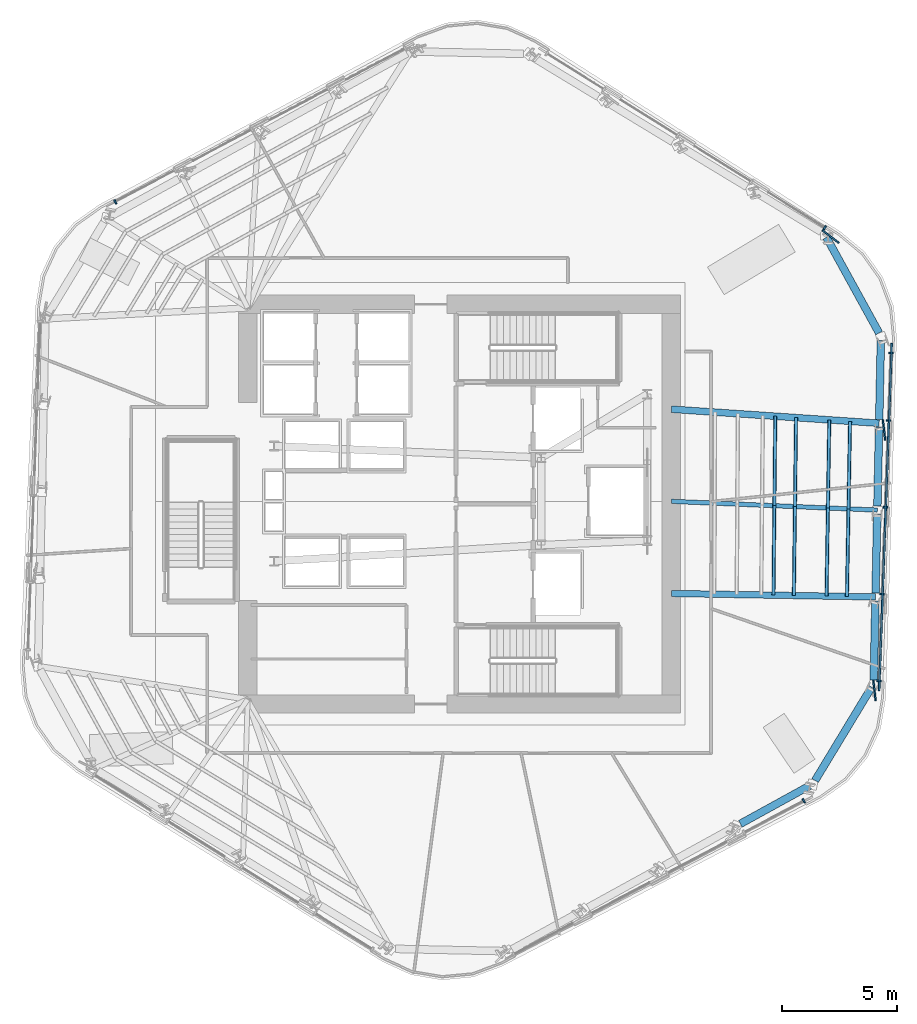
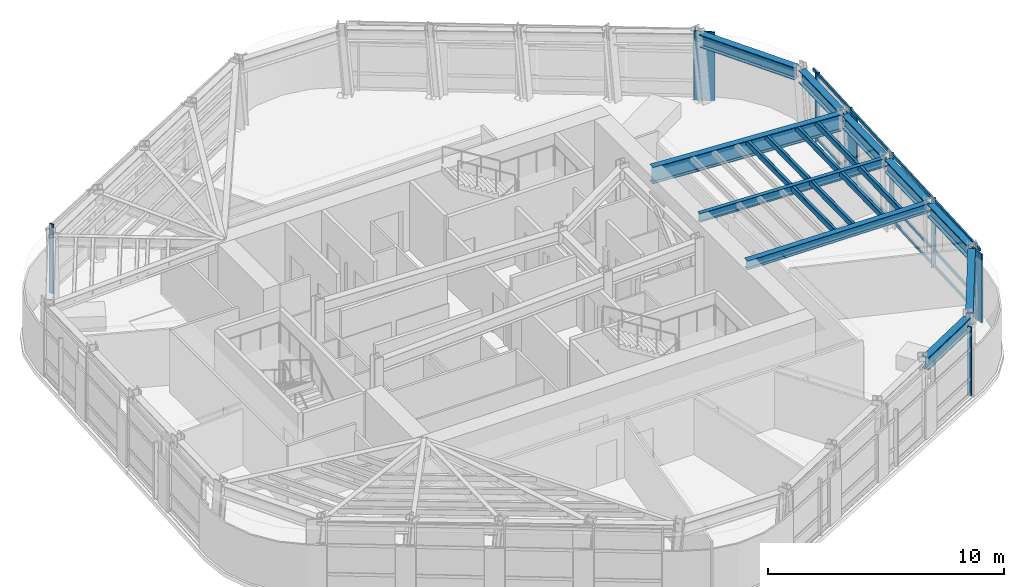
# One storey, part 4 of 14: 23 members, 10 beams, 4 elements without a shape of their own.
"""IFC4 building model written with IfcOpenShell, lengths in metres."""

from ifc_helpers import new_model, si_unit, direction, frame, origin, origin_2d, place, context, subcontext, project, spatial, rectangle, hollow_rectangle, i_section, extrude, material, layer, layer_set, material_profile, profile_set, type_object, element, aggregate, save


model = new_model("IFC4")

# Units and contexts
model_context = context("Model", 3, precision=1e-05, world=origin(), true_north=direction((0.0, 1.0)))
body_context = subcontext(model_context, "Body", "Model", "MODEL_VIEW")
ifc_project = project(units=[si_unit("LENGTHUNIT", "METRE"), si_unit("AREAUNIT", "SQUARE_METRE"), si_unit("VOLUMEUNIT", "CUBIC_METRE"), si_unit("PLANEANGLEUNIT", "RADIAN"), si_unit("MASSUNIT", "GRAM", prefix="KILO")], contexts=[model_context])

# Site, building, storey
site_placement = place(None, origin())
site = spatial("IfcSite", under=ifc_project, at=site_placement, CompositionType="ELEMENT")
building_placement = place(site_placement, origin())
building = spatial("IfcBuilding", under=site, at=building_placement, Name="Valkerne Bourse Tower", CompositionType="ELEMENT")
storey_placement = place(building_placement, frame((0.0, 0.0, 143.800048828125)))
storey = spatial("IfcBuildingStorey", under=building, at=storey_placement, Name="L36", CompositionType="ELEMENT", Elevation=143.800048828125)

# Beams
ifc_material_1 = material(Name="Steel ASTM A992", Category="steel")
ifc_material_profile_1 = material_profile(ifc_material_1, i_section(OverallWidth=0.1904296875, OverallDepth=0.457275390625, WebThickness=0.009033203125, FlangeThickness=0.014404296875, FilletRadius=0.01513671875, at=origin_2d()), Name="W18X50")
ifc_profile_set_1 = profile_set([ifc_material_profile_1], Name="Steel ASTM A992")
beam_type_1 = type_object("IfcBeamType", Name="BM-W18X50", PredefinedType="JOIST", material=ifc_profile_set_1)
beam_1_placement = place(storey_placement, frame((64.939208984375, 26.6201171875, 3.351318359375), z_axis=(-0.999098255775, 0.042457923965, 0.0), x_axis=(-0.042457923965, -0.999098255775, 0.0)))
element("IfcBeam", 1, at=beam_1_placement, inside=storey, type_object=beam_type_1, Name="L36 Radial Composite Floor Beam 27", PredefinedType="JOIST", context=body_context, shape_type="SweptSolid", body=[
    extrude(i_section(OverallWidth=0.1904296875, OverallDepth=0.457275390625, WebThickness=0.009033203125, FlangeThickness=0.014404296875, FilletRadius=0.01513671875, at=origin_2d()), origin(), (0.0, 0.0, 1.0), 8.947265625),
])
ifc_material_profile_2 = material_profile(ifc_material_1, i_section(OverallWidth=0.279296875, OverallDepth=0.46240234375, WebThickness=0.0107421875, FlangeThickness=0.017333984375, FilletRadius=0.017822265625, at=origin_2d()), Name="W18X76")
ifc_profile_set_2 = profile_set([ifc_material_profile_2], Name="Steel ASTM A992")
beam_type_2 = type_object("IfcBeamType", Name="BM-W18X76", PredefinedType="BEAM", material=ifc_profile_set_2)
beam_2_placement = place(storey_placement, frame((64.8603515625, 22.849853515625, 3.3486328125), z_axis=(-0.999856449434, 0.016943450799, 0.0), x_axis=(-0.016943450799, -0.999856449434, 0.0)))
element("IfcBeam", 2, at=beam_2_placement, inside=storey, type_object=beam_type_2, Name="L36 Radial Composite Floor Beam 26", PredefinedType="BEAM", context=body_context, shape_type="SweptSolid", body=[
    extrude(i_section(OverallWidth=0.279296875, OverallDepth=0.46240234375, WebThickness=0.0107421875, FlangeThickness=0.017333984375, FilletRadius=0.017822265625, at=origin_2d()), origin(), (0.0, 0.0, 1.0), 8.861572265625),
])
ifc_material_profile_3 = material_profile(ifc_material_1, i_section(OverallWidth=0.330078125, OverallDepth=0.647705078125, WebThickness=0.0205078125, FlangeThickness=0.037109375, FilletRadius=0.020263671875, at=origin_2d()), Name="W24X192")
ifc_profile_set_3 = profile_set([ifc_material_profile_3], Name="Steel ASTM A992")
beam_type_3 = type_object("IfcBeamType", Name="BM-W24X192", PredefinedType="SPANDREL", material=ifc_profile_set_3)
beam_3_placement = place(storey_placement, frame((58.994140625, 12.99951171875, 3.256103515625), z_axis=(0.876283504881, 0.481795827166, 0.0), x_axis=(-0.481795827166, 0.876283504881, 0.0)))
element("IfcBeam", 3, at=beam_3_placement, inside=storey, type_object=beam_type_3, Name="L36 Hexagonal Spandrel Ring Beam 23", PredefinedType="SPANDREL", context=body_context, shape_type="SweptSolid", body=[
    extrude(i_section(OverallWidth=0.330078125, OverallDepth=0.647705078125, WebThickness=0.0205078125, FlangeThickness=0.037109375, FilletRadius=0.020263671875, at=origin_2d()), origin(), (0.0, 0.0, 1.0), 3.43115234375),
])
beam_4_placement = place(storey_placement, frame((62.23779296875, 14.8798828125, 3.256103515625), z_axis=(0.518006030022, 0.855376965355, 0.0), x_axis=(-0.855376965355, 0.518006030022, 0.0)))
element("IfcBeam", 4, at=beam_4_placement, inside=storey, type_object=beam_type_3, Name="L36 Hexagonal Spandrel Ring Beam 24", PredefinedType="SPANDREL", context=body_context, shape_type="SweptSolid", body=[
    extrude(i_section(OverallWidth=0.330078125, OverallDepth=0.647705078125, WebThickness=0.0205078125, FlangeThickness=0.037109375, FilletRadius=0.020263671875, at=origin_2d()), origin(), (0.0, 0.0, 1.0), 4.739990234375),
])
beam_5_placement = place(storey_placement, frame((64.784912109375, 19.249755859375, 3.256103515625), z_axis=(0.020920687168, 0.999781138474, 0.0), x_axis=(-0.999781138474, 0.020920687168, 0.0)))
element("IfcBeam", 5, at=beam_5_placement, inside=storey, type_object=beam_type_3, Name="L36 Hexagonal Spandrel Ring Beam 25", PredefinedType="SPANDREL", context=body_context, shape_type="SweptSolid", body=[
    extrude(i_section(OverallWidth=0.330078125, OverallDepth=0.647705078125, WebThickness=0.0205078125, FlangeThickness=0.037109375, FilletRadius=0.020263671875, at=origin_2d()), origin(), (0.0, 0.0, 1.0), 3.430908203125),
])
beam_6_placement = place(storey_placement, frame((64.864013671875, 23.02001953125, 3.256103515625), z_axis=(0.020922175639, 0.999781107326, 0.0), x_axis=(-0.999781107326, 0.020922175639, 0.0)))
element("IfcBeam", 6, at=beam_6_placement, inside=storey, type_object=beam_type_3, Name="L36 Hexagonal Spandrel Ring Beam 26", PredefinedType="SPANDREL", context=body_context, shape_type="SweptSolid", body=[
    extrude(i_section(OverallWidth=0.330078125, OverallDepth=0.647705078125, WebThickness=0.0205078125, FlangeThickness=0.037109375, FilletRadius=0.020263671875, at=origin_2d()), origin(), (0.0, 0.0, 1.0), 3.4306640625),
])
for number, where, z_axis, x_axis, name in (
    (7, (64.94287109375, 26.7900390625, 3.256103515625), (0.020920687168, 0.999781138474, 0.0), (-0.999781138474, 0.020920687168, 0.0), "L36 Hexagonal Spandrel Ring Beam 27"),
    (8, (65.021728515625, 30.560302734375, 3.256103515625), (0.020920687168, 0.999781138474, 0.0), (-0.999781138474, 0.020920687168, 0.0), "L36 Hexagonal Spandrel Ring Beam 28"),
):
    element("IfcBeam", number, at=place(storey_placement, frame(where, z_axis=z_axis, x_axis=x_axis)), inside=storey, type_object=beam_type_3, Name=name, PredefinedType="SPANDREL", context=body_context, shape_type="SweptSolid", body=[
        extrude(i_section(OverallWidth=0.330078125, OverallDepth=0.647705078125, WebThickness=0.0205078125, FlangeThickness=0.037109375, FilletRadius=0.020263671875, at=origin_2d()), origin(), (0.0, 0.0, 1.0), 3.430908203125),
    ])
beam_7_placement = place(storey_placement, frame((65.015380859375, 34.309326171875, 3.256103515625), z_axis=(-0.481772434885, 0.876296365954, 0.0), x_axis=(-0.876296365954, -0.481772434885, 0.0)))
element("IfcBeam", 9, at=beam_7_placement, inside=storey, type_object=beam_type_3, Name="L36 Hexagonal Spandrel Ring Beam 29", PredefinedType="SPANDREL", context=body_context, shape_type="SweptSolid", body=[
    extrude(i_section(OverallWidth=0.330078125, OverallDepth=0.647705078125, WebThickness=0.0205078125, FlangeThickness=0.037109375, FilletRadius=0.020263671875, at=origin_2d()), origin(), (0.0, 0.0, 1.0), 4.740234375),
])
ifc_material_profile_4 = material_profile(ifc_material_1, i_section(OverallWidth=0.2919921875, OverallDepth=0.8583984375, WebThickness=0.01708984375, FlangeThickness=0.031005859375, FilletRadius=0.025390625, at=origin_2d()), Name="W33X169")
ifc_profile_set_4 = profile_set([ifc_material_profile_4], Name="Steel ASTM A992")
beam_type_4 = type_object("IfcBeamType", Name="BM-W33X169", PredefinedType="BEAM", material=ifc_profile_set_4)
beam_8_placement = place(storey_placement, frame((65.018310546875, 30.39013671875, 3.150634765625), z_axis=(-0.997721242297, 0.067470902387, 0.0), x_axis=(-0.067470902387, -0.997721242297, 0.0)))
element("IfcBeam", 10, at=beam_8_placement, inside=storey, type_object=beam_type_4, Name="L36 Radial Composite Floor Beam 28", PredefinedType="BEAM", context=body_context, shape_type="SweptSolid", body=[
    extrude(i_section(OverallWidth=0.2919921875, OverallDepth=0.8583984375, WebThickness=0.01708984375, FlangeThickness=0.031005859375, FilletRadius=0.025390625, at=origin_2d()), origin(), (0.0, 0.0, 1.0), 9.038818359375),
])

# Curtain wall, member
ifc_material_2 = material(Name="Aluminium AA 6063-T6", Category="aluminium")
ifc_layer = layer(ifc_material_2, 0.235107421875)
ifc_layer_set = layer_set([ifc_layer], Name="Aluminium AA 6063-T6")
curtain_wall_type = type_object("IfcCurtainWallType", Name="CW-03", PredefinedType="NOTDEFINED", material=ifc_layer_set)
curtain_wall_1_placement = place(storey_placement, origin())
curtain_wall_1 = element("IfcCurtainWall", 11, at=curtain_wall_1_placement, inside=storey, type_object=curtain_wall_type, Name="L36 Hexagonal Stick Curtain Wall Face 1", PredefinedType="NOTDEFINED")
ifc_material_profile_5 = material_profile(ifc_material_2, rectangle(XDim=0.074951171875, YDim=0.199951171875, at=origin_2d()), Name="CWM-75X200")
ifc_profile_set_5 = profile_set([ifc_material_profile_5], Name="Aluminium AA 6063-T6")
member_type_1 = type_object("IfcMemberType", Name="CW-MUL-220X75", PredefinedType="MULLION", material=ifc_profile_set_5)
member_1_placement = place(storey_placement, frame((62.6552734375, 38.872802734375, 0.0), z_axis=(0.0, 0.0, 1.0), x_axis=(-0.847122646261, 0.531397423961, 0.0)))
member_1 = element("IfcMember", 12, at=member_1_placement, type_object=member_type_1, Name="CW-L36-F1 Jamb Mullion 00A", PredefinedType="MULLION", context=body_context, shape_type="SweptSolid", body=[
    extrude(rectangle(XDim=0.074951171875, YDim=0.199951171875, at=origin_2d()), origin(), (0.0, 0.0, 1.0), 3.579833984375),
])
aggregate(curtain_wall_1, [member_1])

curtain_wall_2_placement = place(storey_placement, origin())
curtain_wall_2 = element("IfcCurtainWall", 13, at=curtain_wall_2_placement, inside=storey, type_object=curtain_wall_type, Name="L36 Hexagonal Stick Curtain Wall Face 2", PredefinedType="NOTDEFINED")
member_2_placement = place(storey_placement, frame((31.85693359375, 40.002197265625, 0.0), z_axis=(0.0, 0.0, 1.0), x_axis=(-0.883762758878, -0.467935236993, 0.0)))
member_2 = element("IfcMember", 14, at=member_2_placement, type_object=member_type_1, Name="CW-L36-F2 Jamb Mullion 03B", PredefinedType="MULLION", context=body_context, shape_type="SweptSolid", body=[
    extrude(rectangle(XDim=0.074951171875, YDim=0.199951171875, at=origin_2d()), origin(), (0.0, 0.0, 1.0), 3.579833984375),
])
aggregate(curtain_wall_2, [member_2])

curtain_wall_3_placement = place(storey_placement, origin())
curtain_wall_3 = element("IfcCurtainWall", 15, at=curtain_wall_3_placement, inside=storey, type_object=curtain_wall_type, Name="L36 Hexagonal Stick Curtain Wall Face 5", PredefinedType="NOTDEFINED")
member_3_placement = place(storey_placement, frame((61.742919921875, 13.997802734375, 0.0), z_axis=(0.0, 0.0, 1.0), x_axis=(0.883762758878, 0.467935236993, 0.0)))
member_3 = element("IfcMember", 16, at=member_3_placement, type_object=member_type_1, Name="CW-L36-F5 Jamb Mullion 03B", PredefinedType="MULLION", context=body_context, shape_type="SweptSolid", body=[
    extrude(rectangle(XDim=0.074951171875, YDim=0.199951171875, at=origin_2d()), origin(), (0.0, 0.0, 1.0), 3.579833984375),
])
aggregate(curtain_wall_3, [member_3])

# Curtain wall, members
curtain_wall_4_placement = place(storey_placement, origin())
curtain_wall_4 = element("IfcCurtainWall", 17, at=curtain_wall_4_placement, inside=storey, type_object=curtain_wall_type, Name="L36 Hexagonal Stick Curtain Wall Face 6", PredefinedType="NOTDEFINED")
member_4_placement = place(storey_placement, frame((65.010009765625, 19.20556640625, 0.0), z_axis=(0.0, 0.0, 1.0), x_axis=(0.036647781173, 0.99932824444, 0.0)))
member_4 = element("IfcMember", 18, at=member_4_placement, type_object=member_type_1, Name="CW-L36-F6 Jamb Mullion 00A", PredefinedType="MULLION", context=body_context, shape_type="SweptSolid", body=[
    extrude(rectangle(XDim=0.074951171875, YDim=0.199951171875, at=origin_2d()), origin(), (0.0, 0.0, 1.0), 3.579833984375),
])
member_5_placement = place(storey_placement, frame((65.148193359375, 22.97412109375, 0.0), z_axis=(0.0, 0.0, 1.0), x_axis=(0.036621298825, 0.99932921526, 0.0)))
member_5 = element("IfcMember", 19, at=member_5_placement, type_object=member_type_1, Name="CW-L36-F6 Jamb Mullion 01A", PredefinedType="MULLION", context=body_context, shape_type="SweptSolid", body=[
    extrude(rectangle(XDim=0.074951171875, YDim=0.199951171875, at=origin_2d()), origin(), (0.0, 0.0, 1.0), 3.579833984375),
])
member_6_placement = place(storey_placement, frame((65.2861328125, 26.742431640625, 0.0), z_axis=(0.0, 0.0, 1.0), x_axis=(0.036648752372, 0.999328208823, 0.0)))
member_6 = element("IfcMember", 20, at=member_6_placement, type_object=member_type_1, Name="CW-L36-F6 Jamb Mullion 02A", PredefinedType="MULLION", context=body_context, shape_type="SweptSolid", body=[
    extrude(rectangle(XDim=0.074951171875, YDim=0.199951171875, at=origin_2d()), origin(), (0.0, 0.0, 1.0), 3.579833984375),
])
member_7_placement = place(storey_placement, frame((65.42431640625, 30.510986328125, 0.0), z_axis=(0.0, 0.0, 1.0), x_axis=(0.036647781173, 0.99932824444, 0.0)))
member_7 = element("IfcMember", 21, at=member_7_placement, type_object=member_type_1, Name="CW-L36-F6 Jamb Mullion 03A", PredefinedType="MULLION", context=body_context, shape_type="SweptSolid", body=[
    extrude(rectangle(XDim=0.074951171875, YDim=0.199951171875, at=origin_2d()), origin(), (0.0, 0.0, 1.0), 3.579833984375),
])
member_8_placement = place(storey_placement, frame((65.53173828125, 33.43994140625, 0.0), z_axis=(0.0, 0.0, 1.0), x_axis=(0.036647781173, 0.99932824444, 0.0)))
member_8 = element("IfcMember", 22, at=member_8_placement, type_object=member_type_1, Name="CW-L36-F6 Jamb Mullion 03B", PredefinedType="MULLION", context=body_context, shape_type="SweptSolid", body=[
    extrude(rectangle(XDim=0.074951171875, YDim=0.199951171875, at=origin_2d()), origin(), (0.0, 0.0, 1.0), 3.579833984375),
])
ifc_material_profile_6 = material_profile(ifc_material_2, rectangle(XDim=0.074951171875, YDim=0.14990234375, at=origin_2d()), Name="CWT-75X150")
ifc_profile_set_6 = profile_set([ifc_material_profile_6], Name="Aluminium AA 6063-T6")
member_type_2 = type_object("IfcMemberType", Name="CW-TRN-180X65", PredefinedType="USERDEFINED", material=ifc_profile_set_6)
member_9_placement = place(storey_placement, frame((65.014404296875, 18.784912109375, 0.119873046875), z_axis=(0.036643498065, 0.999328401503, 0.0), x_axis=(-0.999328401503, 0.036643498065, 0.0)))
member_9 = element("IfcMember", 23, at=member_9_placement, type_object=member_type_2, Name="CW-L36-F6 Continuous Face Transom 1", ObjectType="TRANSOM", PredefinedType="USERDEFINED", context=body_context, shape_type="SweptSolid", body=[
    extrude(rectangle(XDim=0.074951171875, YDim=0.14990234375, at=origin_2d()), origin(), (0.0, 0.0, 1.0), 15.083984375),
])
member_10_placement = place(storey_placement, frame((65.014404296875, 18.784912109375, 0.89990234375), z_axis=(0.036643498065, 0.999328401503, 0.0), x_axis=(-0.999328401503, 0.036643498065, 0.0)))
member_10 = element("IfcMember", 24, at=member_10_placement, type_object=member_type_2, Name="CW-L36-F6 Continuous Face Transom 2", ObjectType="TRANSOM", PredefinedType="USERDEFINED", context=body_context, shape_type="SweptSolid", body=[
    extrude(rectangle(XDim=0.074951171875, YDim=0.14990234375, at=origin_2d()), origin(), (0.0, 0.0, 1.0), 15.083984375),
])
member_11_placement = place(storey_placement, frame((65.014404296875, 18.784912109375, 2.39990234375), z_axis=(0.036643498065, 0.999328401503, 0.0), x_axis=(-0.999328401503, 0.036643498065, 0.0)))
member_11 = element("IfcMember", 25, at=member_11_placement, type_object=member_type_2, Name="CW-L36-F6 Continuous Face Transom 3", ObjectType="TRANSOM", PredefinedType="USERDEFINED", context=body_context, shape_type="SweptSolid", body=[
    extrude(rectangle(XDim=0.074951171875, YDim=0.14990234375, at=origin_2d()), origin(), (0.0, 0.0, 1.0), 15.083984375),
])
member_12_placement = place(storey_placement, frame((65.014404296875, 18.784912109375, 3.5), z_axis=(0.036643498065, 0.999328401503, 0.0), x_axis=(-0.999328401503, 0.036643498065, 0.0)))
member_12 = element("IfcMember", 26, at=member_12_placement, type_object=member_type_2, Name="CW-L36-F6 Continuous Face Transom 4", ObjectType="TRANSOM", PredefinedType="USERDEFINED", context=body_context, shape_type="SweptSolid", body=[
    extrude(rectangle(XDim=0.074951171875, YDim=0.14990234375, at=origin_2d()), origin(), (0.0, 0.0, 1.0), 15.083984375),
])
aggregate(curtain_wall_4, [member_9, member_10, member_11, member_12, member_4, member_5, member_6, member_7, member_8])

# Members
ifc_material_3 = material(Name="Bronze Anodised Aluminium AA 6063-T6", Category="aluminium")
ifc_material_profile_7 = material_profile(ifc_material_3, rectangle(XDim=0.070068359375, YDim=0.89990234375, at=origin_2d()), Name="FIN-70X900")
ifc_profile_set_7 = profile_set([ifc_material_profile_7], Name="Bronze Anodised Aluminium AA 6063-T6")
member_type_3 = type_object("IfcMemberType", Name="FIN-SOLAR-900", PredefinedType="USERDEFINED", material=ifc_profile_set_7)
for number, where, z_axis, x_axis, name in (
    (27, (62.915283203125, 38.497314453125, 0.00390625), (0.0, 0.0, 1.0), (0.606290582601, 0.795243188874, 0.0), "L36 Bronze Anodised Solar Fin F1-00"),
    (28, (64.814697265625, 18.792236328125, 0.00390625), (0.0, 0.0, 1.0), (0.993495934614, 0.113867589358, 0.0), "L36 Bronze Anodised Solar Fin F6-00"),
    (29, (65.22900390625, 30.09765625, 0.00390625), (0.0, 0.0, 1.0), (0.993495934614, 0.113867589358, 0.0), "L36 Bronze Anodised Solar Fin F6-03"),
):
    element("IfcMember", number, at=place(storey_placement, frame(where, z_axis=z_axis, x_axis=x_axis)), inside=storey, type_object=member_type_3, Name=name, ObjectType="SOLAR_FIN", PredefinedType="USERDEFINED", context=body_context, shape_type="SweptSolid", body=[
        extrude(rectangle(XDim=0.070068359375, YDim=0.89990234375, at=origin_2d()), origin(), (0.0, 0.0, 1.0), 3.572021484375),
    ])
ifc_material_4 = material(Name="Steel ASTM A500 Grade C", Category="steel")
ifc_material_profile_8 = material_profile(ifc_material_4, hollow_rectangle(XDim=0.14990234375, YDim=0.300048828125, WallThickness=0.012451171875, OuterFilletRadius=0.02490234375, at=origin_2d()), Name="HSS300X150X12.5")
ifc_profile_set_8 = profile_set([ifc_material_profile_8], Name="Steel ASTM A500 Grade C")
member_type_4 = type_object("IfcMemberType", Name="MBR-HSS300X150X12.5", PredefinedType="PURLIN", material=ifc_profile_set_8)
for number, where, z_axis, x_axis, name in (
    (30, (60.43017578125, 22.925048828125, 3.419921875), (0.010179828181, 0.999948184207, 0.0), (-0.999948184207, 0.010179828181, 0.0), "L36 Secondary Composite Floor Purlin M-26"),
    (31, (60.4697265625, 26.81005859375, 3.419921875), (0.010116996187, 0.999948821884, 0.0), (-0.999948821884, 0.010116996187, 0.0), "L36 Secondary Composite Floor Purlin M-27"),
):
    element("IfcMember", number, at=place(storey_placement, frame(where, z_axis=z_axis, x_axis=x_axis)), inside=storey, type_object=member_type_4, Name=name, PredefinedType="PURLIN", context=body_context, shape_type="SweptSolid", body=[
        extrude(hollow_rectangle(XDim=0.14990234375, YDim=0.300048828125, WallThickness=0.012451171875, OuterFilletRadius=0.02490234375, at=origin_2d()), origin(), (0.0, 0.0, 1.0), 3.88525390625),
    ])
member_13_placement = place(storey_placement, frame((62.73388671875, 22.885986328125, 3.419921875), z_axis=(0.015698856541, 0.999876765358, 0.0), x_axis=(-0.999876765358, 0.015698856541, 0.0)))
element("IfcMember", 32, at=member_13_placement, inside=storey, type_object=member_type_4, Name="L36 Secondary Composite Floor Purlin O-26", PredefinedType="PURLIN", context=body_context, shape_type="SweptSolid", body=[
    extrude(hollow_rectangle(XDim=0.14990234375, YDim=0.300048828125, WallThickness=0.012451171875, OuterFilletRadius=0.02490234375, at=origin_2d()), origin(), (0.0, 0.0, 1.0), 3.82568359375),
])
member_14_placement = place(storey_placement, frame((62.7939453125, 26.711181640625, 3.419921875), z_axis=(0.015634058093, 0.999877780645, 0.0), x_axis=(-0.999877780645, 0.015634058093, 0.0)))
element("IfcMember", 33, at=member_14_placement, inside=storey, type_object=member_type_4, Name="L36 Secondary Composite Floor Purlin O-27", PredefinedType="PURLIN", context=body_context, shape_type="SweptSolid", body=[
    extrude(hollow_rectangle(XDim=0.14990234375, YDim=0.300048828125, WallThickness=0.012451171875, OuterFilletRadius=0.02490234375, at=origin_2d()), origin(), (0.0, 0.0, 1.0), 3.825927734375),
])
for number, where, z_axis, x_axis, name in (
    (34, (61.316162109375, 22.909912109375, 3.419921875), (0.012262811361, 0.999924808902, 0.0), (-0.999924808902, 0.012262811361, 0.0), "L36 Secondary Composite Floor Purlin Z-26"),
    (35, (61.363525390625, 26.77197265625, 3.419921875), (0.012262811361, 0.999924808902, 0.0), (-0.999924808902, 0.012262811361, 0.0), "L36 Secondary Composite Floor Purlin Z-27"),
):
    element("IfcMember", number, at=place(storey_placement, frame(where, z_axis=z_axis, x_axis=x_axis)), inside=storey, type_object=member_type_4, Name=name, PredefinedType="PURLIN", context=body_context, shape_type="SweptSolid", body=[
        extrude(hollow_rectangle(XDim=0.14990234375, YDim=0.300048828125, WallThickness=0.012451171875, OuterFilletRadius=0.02490234375, at=origin_2d()), origin(), (0.0, 0.0, 1.0), 3.8623046875),
    ])
member_15_placement = place(storey_placement, frame((63.619873046875, 22.870849609375, 3.419921875), z_axis=(0.017847420107, 0.999840722113, 0.0), x_axis=(-0.999840722113, 0.017847420107, 0.0)))
element("IfcMember", 36, at=member_15_placement, inside=storey, type_object=member_type_4, Name="L36 Secondary Composite Floor Purlin T-26", PredefinedType="PURLIN", context=body_context, shape_type="SweptSolid", body=[
    extrude(hollow_rectangle(XDim=0.14990234375, YDim=0.300048828125, WallThickness=0.012451171875, OuterFilletRadius=0.02490234375, at=origin_2d()), origin(), (0.0, 0.0, 1.0), 3.802734375),
])
member_16_placement = place(storey_placement, frame((63.687744140625, 26.673095703125, 3.419921875), z_axis=(0.01784627457, 0.999840742561, 0.0), x_axis=(-0.999840742561, 0.01784627457, 0.0)))
element("IfcMember", 37, at=member_16_placement, inside=storey, type_object=member_type_4, Name="L36 Secondary Composite Floor Purlin T-27", PredefinedType="PURLIN", context=body_context, shape_type="SweptSolid", body=[
    extrude(hollow_rectangle(XDim=0.14990234375, YDim=0.300048828125, WallThickness=0.012451171875, OuterFilletRadius=0.02490234375, at=origin_2d()), origin(), (0.0, 0.0, 1.0), 3.802978515625),
])

save(model, "model.ifc")
